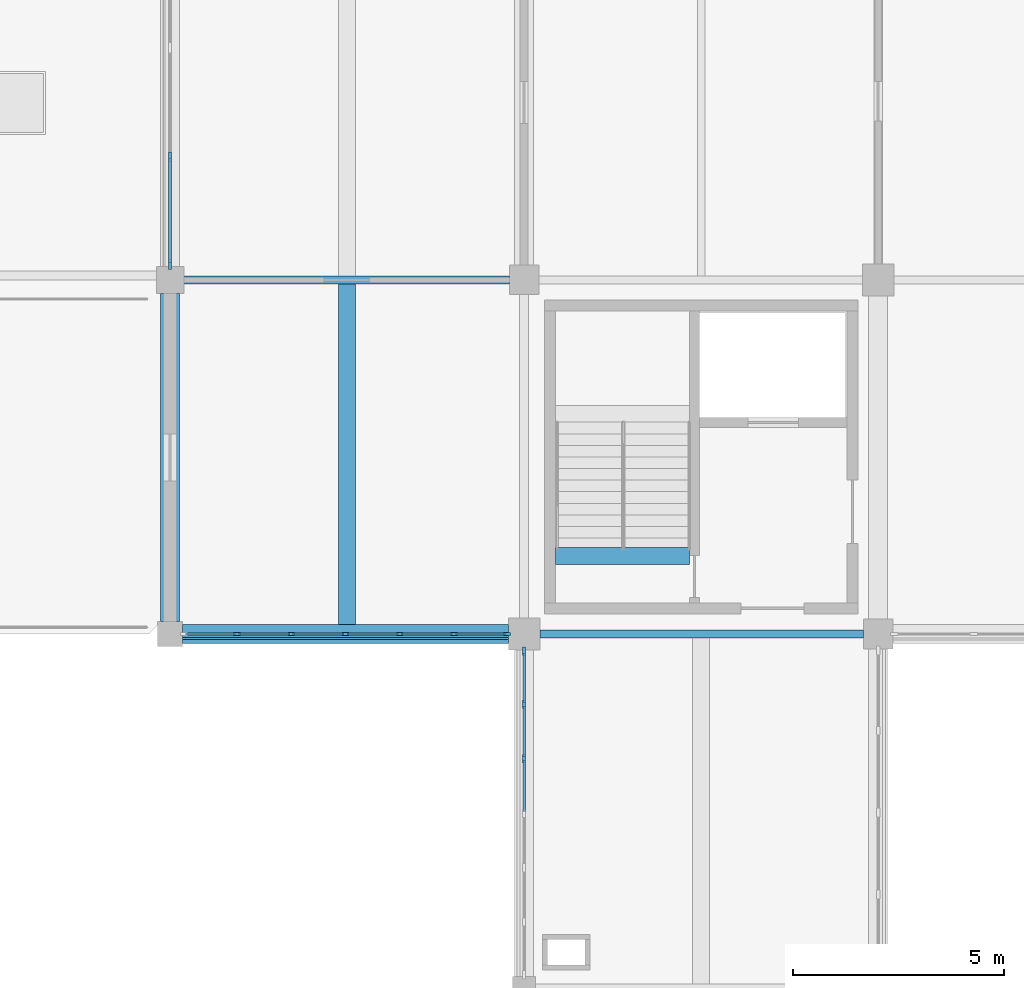
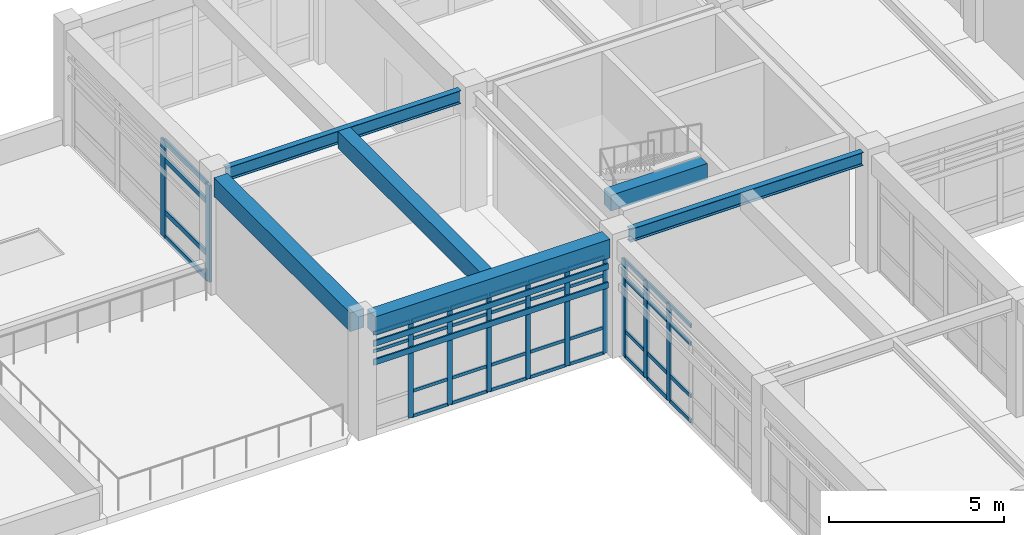
# One storey, part 11 of 40: 51 members, 6 beams, 3 elements without a shape of their own.
"""IFC4 building model written with IfcOpenShell, lengths in metres."""

from ifc_helpers import new_model, si_unit, direction, frame, origin, origin_2d, place, context, subcontext, project, spatial, rectangle, i_section, extrude, material, layer, layer_set, material_profile, profile_set, type_object, element, aggregate, save


model = new_model("IFC4")

# Units and contexts
model_context = context("Model", 3, precision=1e-05, world=origin(), true_north=direction((0.0, 1.0)))
body_context = subcontext(model_context, "Body", "Model", "MODEL_VIEW")
ifc_project = project(units=[si_unit("LENGTHUNIT", "METRE"), si_unit("AREAUNIT", "SQUARE_METRE"), si_unit("VOLUMEUNIT", "CUBIC_METRE"), si_unit("PLANEANGLEUNIT", "RADIAN"), si_unit("MASSUNIT", "GRAM", prefix="KILO")], contexts=[model_context])

# Site, building, storey
site_placement = place(None, origin())
site = spatial("IfcSite", under=ifc_project, at=site_placement, CompositionType="ELEMENT")
building_placement = place(site_placement, origin())
building = spatial("IfcBuilding", under=site, at=building_placement, Name="Porcellanite Civic Hall", CompositionType="ELEMENT")
storey_placement = place(building_placement, frame((0.0, 0.0, 19.080078125)))
storey = spatial("IfcBuildingStorey", under=building, at=storey_placement, Name="L04", CompositionType="ELEMENT", Elevation=19.080078125)

# Beams
ifc_material_1 = material(Name="Concrete N50 (50 MPa)", Category="concrete")
ifc_material_profile_1 = material_profile(ifc_material_1, rectangle(XDim=0.39990234375, YDim=0.550048828125, at=origin_2d()), Name="RC-400x550")
ifc_profile_set_1 = profile_set([ifc_material_profile_1], Name="Concrete N50 (50 MPa)")
beam_type_1 = type_object("IfcBeamType", Name="BM-RC550", PredefinedType="JOIST", material=ifc_profile_set_1)
beam_1_placement = place(storey_placement, frame((51.140380859375, 102.64990234375, 3.794921875), z_axis=(1.0, 0.0, 0.0), x_axis=(0.0, 1.0, 0.0)))
element("IfcBeam", 1, at=beam_1_placement, inside=storey, type_object=beam_type_1, Name="Stair header beam C3 L04", PredefinedType="JOIST", context=body_context, shape_type="SweptSolid", body=[
    extrude(rectangle(XDim=0.39990234375, YDim=0.550048828125, at=origin_2d()), origin(), (0.0, 0.0, 1.0), 3.17919921875),
])
ifc_material_2 = material(Name="Concrete N50 (50 MPa)", Category="concrete")
ifc_material_profile_2 = material_profile(ifc_material_2, rectangle(XDim=0.39990234375, YDim=0.60009765625, at=origin_2d()), Name="RC-400x600")
ifc_profile_set_2 = profile_set([ifc_material_profile_2], Name="Concrete N50 (50 MPa)")
beam_type_2 = type_object("IfcBeamType", Name="BM-RC600", PredefinedType="JOIST", material=ifc_profile_set_2)
beam_2_placement = place(storey_placement, frame((46.199951171875, 101.0244140625, 3.77001953125), z_axis=(0.0, 1.0, 0.0), x_axis=(-1.0, 0.0, 0.0)))
element("IfcBeam", 2, at=beam_2_placement, inside=storey, type_object=beam_type_2, Name="Secondary joist L04 6-13", PredefinedType="JOIST", context=body_context, shape_type="SweptSolid", body=[
    extrude(rectangle(XDim=0.39990234375, YDim=0.60009765625, at=origin_2d()), origin(), (0.0, 0.0, 1.0), 8.0810546875),
])
ifc_material_3 = material(Name="Concrete N50 (50 MPa)", Category="concrete")
ifc_material_profile_3 = material_profile(ifc_material_3, rectangle(XDim=0.449951171875, YDim=0.64990234375, at=origin_2d()), Name="RC-450x650")
ifc_profile_set_3 = profile_set([ifc_material_profile_3], Name="Concrete N50 (50 MPa)")
beam_type_3 = type_object("IfcBeamType", Name="BM-RC650", PredefinedType="SPANDREL", material=ifc_profile_set_3)
beam_3_placement = place(storey_placement, frame((42.299560546875, 100.800048828125, 3.744873046875), z_axis=(1.0, 0.0, 0.0), x_axis=(0.0, 1.0, 0.0)))
element("IfcBeam", 3, at=beam_3_placement, inside=storey, type_object=beam_type_3, Name="Beam X L04 6-13", PredefinedType="SPANDREL", context=body_context, shape_type="SweptSolid", body=[
    extrude(rectangle(XDim=0.449951171875, YDim=0.64990234375, at=origin_2d()), origin(), (0.0, 0.0, 1.0), 7.725830078125),
])
beam_4_placement = place(storey_placement, frame((42.0, 101.099609375, 3.744873046875), z_axis=(0.0, 1.0, 0.0), x_axis=(-1.0, 0.0, 0.0)))
element("IfcBeam", 4, at=beam_4_placement, inside=storey, type_object=beam_type_3, Name="Beam Y L04 6-13", PredefinedType="SPANDREL", context=body_context, shape_type="SweptSolid", body=[
    extrude(rectangle(XDim=0.449951171875, YDim=0.64990234375, at=origin_2d()), origin(), (0.0, 0.0, 1.0), 7.77587890625),
])

# Curtain wall, members
ifc_material_4 = material(Name="Anodised aluminium and solar laminated glass", Category="aluminium")
ifc_layer_1 = layer(ifc_material_4, 0.179931640625)
ifc_layer_set_1 = layer_set([ifc_layer_1], Name="Anodised aluminium and solar laminated glass")
curtain_wall_type_1 = type_object("IfcCurtainWallType", Name="CW-SYS08", PredefinedType="NOTDEFINED", material=ifc_layer_set_1)
curtain_wall_1_placement = place(storey_placement, origin())
curtain_wall_1 = element("IfcCurtainWall", 5, at=curtain_wall_1_placement, inside=storey, type_object=curtain_wall_type_1, Name="Curtain wall CW-238", PredefinedType="NOTDEFINED")
ifc_material_5 = material(Name="Anodised aluminium 6063-T6", Category="aluminium")
ifc_material_profile_4 = material_profile(ifc_material_5, rectangle(XDim=0.080078125, YDim=0.239990234375, at=origin_2d()), Name="AL-80x240")
ifc_profile_set_4 = profile_set([ifc_material_profile_4], Name="Anodised aluminium 6063-T6")
member_type_1 = type_object("IfcMemberType", Name="CWM-01", PredefinedType="MULLION", material=ifc_profile_set_4)
member_1_placement = place(storey_placement, frame((42.0, 109.56591796875, 0.0), z_axis=(0.0, 0.0, 1.0), x_axis=(-1.0, 0.0, 0.0)))
member_1 = element("IfcMember", 6, at=member_1_placement, type_object=member_type_1, Name="CW-238 mullion 1", PredefinedType="MULLION", context=body_context, shape_type="SweptSolid", body=[
    extrude(rectangle(XDim=0.080078125, YDim=0.239990234375, at=origin_2d()), origin(), (0.0, 0.0, 1.0), 3.369873046875),
])
member_2_placement = place(storey_placement, frame((42.0, 112.116943359375, 0.0), z_axis=(0.0, 0.0, 1.0), x_axis=(-1.0, 0.0, 0.0)))
member_2 = element("IfcMember", 7, at=member_2_placement, type_object=member_type_1, Name="CW-238 mullion 2", PredefinedType="MULLION", context=body_context, shape_type="SweptSolid", body=[
    extrude(rectangle(XDim=0.080078125, YDim=0.239990234375, at=origin_2d()), origin(), (0.0, 0.0, 1.0), 3.369873046875),
])

ifc_material_6 = material(Name="Anodised aluminium and solar laminated glass", Category="aluminium")
ifc_layer_2 = layer(ifc_material_6, 0.179931640625)
ifc_layer_set_2 = layer_set([ifc_layer_2], Name="Anodised aluminium and solar laminated glass")
curtain_wall_type_2 = type_object("IfcCurtainWallType", Name="CW-SYS01", PredefinedType="NOTDEFINED", material=ifc_layer_set_2)
curtain_wall_2_placement = place(storey_placement, origin())
curtain_wall_2 = element("IfcCurtainWall", 8, at=curtain_wall_2_placement, inside=storey, type_object=curtain_wall_type_2, Name="Curtain wall CW-245", PredefinedType="NOTDEFINED")
ifc_material_7 = material(Name="Anodised aluminium 6063-T6", Category="aluminium")
ifc_material_profile_5 = material_profile(ifc_material_7, rectangle(XDim=0.070068359375, YDim=0.199951171875, at=origin_2d()), Name="AL-70x200")
ifc_profile_set_5 = profile_set([ifc_material_profile_5], Name="Anodised aluminium 6063-T6")
member_type_2 = type_object("IfcMemberType", Name="CWM-05", PredefinedType="MULLION", material=ifc_profile_set_5)
member_3_placement = place(storey_placement, frame((50.39990234375, 97.84130859375, 0.0), z_axis=(0.0, 0.0, 1.0), x_axis=(-1.0, 0.0, 0.0)))
member_3 = element("IfcMember", 9, at=member_3_placement, type_object=member_type_2, Name="CW-245 mullion 5", PredefinedType="MULLION", context=body_context, shape_type="SweptSolid", body=[
    extrude(rectangle(XDim=0.070068359375, YDim=0.199951171875, at=origin_2d()), origin(), (0.0, 0.0, 1.0), 3.369873046875),
])
member_4_placement = place(storey_placement, frame((50.39990234375, 99.132568359375, 0.0), z_axis=(0.0, 0.0, 1.0), x_axis=(-1.0, 0.0, 0.0)))
member_4 = element("IfcMember", 10, at=member_4_placement, type_object=member_type_2, Name="CW-245 mullion 6", PredefinedType="MULLION", context=body_context, shape_type="SweptSolid", body=[
    extrude(rectangle(XDim=0.070068359375, YDim=0.199951171875, at=origin_2d()), origin(), (0.0, 0.0, 1.0), 3.369873046875),
])
member_5_placement = place(storey_placement, frame((50.39990234375, 100.388916015625, 0.0), z_axis=(0.0, 0.0, 1.0), x_axis=(-1.0, 0.0, 0.0)))
member_5 = element("IfcMember", 11, at=member_5_placement, type_object=member_type_2, Name="CW-245 mullion 7", PredefinedType="MULLION", context=body_context, shape_type="SweptSolid", body=[
    extrude(rectangle(XDim=0.070068359375, YDim=0.199951171875, at=origin_2d()), origin(), (0.0, 0.0, 1.0), 3.369873046875),
])

ifc_material_8 = material(Name="Anodised aluminium and solar laminated glass", Category="aluminium")
ifc_layer_3 = layer(ifc_material_8, 0.179931640625)
ifc_layer_set_3 = layer_set([ifc_layer_3], Name="Anodised aluminium and solar laminated glass")
curtain_wall_type_3 = type_object("IfcCurtainWallType", Name="CW-SYS07", PredefinedType="NOTDEFINED", material=ifc_layer_set_3)
curtain_wall_3_placement = place(storey_placement, origin())
curtain_wall_3 = element("IfcCurtainWall", 12, at=curtain_wall_3_placement, inside=storey, type_object=curtain_wall_type_3, Name="Curtain wall CW-237", PredefinedType="NOTDEFINED")
ifc_material_9 = material(Name="Anodised aluminium 6063-T6", Category="aluminium")
ifc_material_profile_6 = material_profile(ifc_material_9, rectangle(XDim=0.06005859375, YDim=0.159912109375, at=origin_2d()), Name="AL-60x160")
ifc_profile_set_6 = profile_set([ifc_material_profile_6], Name="Anodised aluminium 6063-T6")
member_type_3 = type_object("IfcMemberType", Name="CWM-07", PredefinedType="MULLION", material=ifc_profile_set_6)
member_6_placement = place(storey_placement, frame((49.993896484375, 100.800048828125, 0.0), z_axis=(0.0, 0.0, 1.0), x_axis=(0.0, -1.0, 0.0)))
member_6 = element("IfcMember", 13, at=member_6_placement, type_object=member_type_3, Name="CW-237 mullion 1", PredefinedType="MULLION", context=body_context, shape_type="SweptSolid", body=[
    extrude(rectangle(XDim=0.06005859375, YDim=0.159912109375, at=origin_2d()), origin(), (0.0, 0.0, 1.0), 3.369873046875),
])
member_7_placement = place(storey_placement, frame((48.73681640625, 100.800048828125, 0.0), z_axis=(0.0, 0.0, 1.0), x_axis=(0.0, -1.0, 0.0)))
member_7 = element("IfcMember", 14, at=member_7_placement, type_object=member_type_3, Name="CW-237 mullion 2", PredefinedType="MULLION", context=body_context, shape_type="SweptSolid", body=[
    extrude(rectangle(XDim=0.06005859375, YDim=0.159912109375, at=origin_2d()), origin(), (0.0, 0.0, 1.0), 3.369873046875),
])
member_8_placement = place(storey_placement, frame((47.44970703125, 100.800048828125, 0.0), z_axis=(0.0, 0.0, 1.0), x_axis=(0.0, -1.0, 0.0)))
member_8 = element("IfcMember", 15, at=member_8_placement, type_object=member_type_3, Name="CW-237 mullion 3", PredefinedType="MULLION", context=body_context, shape_type="SweptSolid", body=[
    extrude(rectangle(XDim=0.06005859375, YDim=0.159912109375, at=origin_2d()), origin(), (0.0, 0.0, 1.0), 3.369873046875),
])
member_9_placement = place(storey_placement, frame((46.16259765625, 100.800048828125, 0.0), z_axis=(0.0, 0.0, 1.0), x_axis=(0.0, -1.0, 0.0)))
member_9 = element("IfcMember", 16, at=member_9_placement, type_object=member_type_3, Name="CW-237 mullion 4", PredefinedType="MULLION", context=body_context, shape_type="SweptSolid", body=[
    extrude(rectangle(XDim=0.06005859375, YDim=0.159912109375, at=origin_2d()), origin(), (0.0, 0.0, 1.0), 3.369873046875),
])
member_10_placement = place(storey_placement, frame((44.875244140625, 100.800048828125, 0.0), z_axis=(0.0, 0.0, 1.0), x_axis=(0.0, -1.0, 0.0)))
member_10 = element("IfcMember", 17, at=member_10_placement, type_object=member_type_3, Name="CW-237 mullion 5", PredefinedType="MULLION", context=body_context, shape_type="SweptSolid", body=[
    extrude(rectangle(XDim=0.06005859375, YDim=0.159912109375, at=origin_2d()), origin(), (0.0, 0.0, 1.0), 3.369873046875),
])
member_11_placement = place(storey_placement, frame((43.588134765625, 100.800048828125, 0.0), z_axis=(0.0, 0.0, 1.0), x_axis=(0.0, -1.0, 0.0)))
member_11 = element("IfcMember", 18, at=member_11_placement, type_object=member_type_3, Name="CW-237 mullion 6", PredefinedType="MULLION", context=body_context, shape_type="SweptSolid", body=[
    extrude(rectangle(XDim=0.06005859375, YDim=0.159912109375, at=origin_2d()), origin(), (0.0, 0.0, 1.0), 3.369873046875),
])

# Member
ifc_material_10 = material(Name="Anodised aluminium 6063-T6", Category="aluminium")
ifc_material_profile_7 = material_profile(ifc_material_10, rectangle(XDim=0.070068359375, YDim=0.175048828125, at=origin_2d()), Name="AL-70x175")
ifc_profile_set_7 = profile_set([ifc_material_profile_7], Name="Anodised aluminium 6063-T6")
member_type_4 = type_object("IfcMemberType", Name="CWT-01", PredefinedType="USERDEFINED", material=ifc_profile_set_7)
member_12_placement = place(storey_placement, frame((42.0, 109.60595703125, 0.034912109375), z_axis=(0.0, 1.0, 0.0), x_axis=(-1.0, 0.0, 0.0)))
member_12 = element("IfcMember", 19, at=member_12_placement, type_object=member_type_4, Name="CW-238 transom 1.1", ObjectType="TRANSOM", PredefinedType="USERDEFINED", context=body_context, shape_type="SweptSolid", body=[
    extrude(rectangle(XDim=0.070068359375, YDim=0.175048828125, at=origin_2d()), origin(), (0.0, 0.0, 1.0), 2.470947265625),
])

member_13_placement = place(storey_placement, frame((42.0, 109.60595703125, 0.89990234375), z_axis=(0.0, 1.0, 0.0), x_axis=(-1.0, 0.0, 0.0)))
member_13 = element("IfcMember", 20, at=member_13_placement, type_object=member_type_4, Name="CW-238 transom 1.2", ObjectType="TRANSOM", PredefinedType="USERDEFINED", context=body_context, shape_type="SweptSolid", body=[
    extrude(rectangle(XDim=0.070068359375, YDim=0.175048828125, at=origin_2d()), origin(), (0.0, 0.0, 1.0), 2.470947265625),
])

member_14_placement = place(storey_placement, frame((42.0, 109.60595703125, 2.719970703125), z_axis=(0.0, 1.0, 0.0), x_axis=(-1.0, 0.0, 0.0)))
member_14 = element("IfcMember", 21, at=member_14_placement, type_object=member_type_4, Name="CW-238 transom 1.3", ObjectType="TRANSOM", PredefinedType="USERDEFINED", context=body_context, shape_type="SweptSolid", body=[
    extrude(rectangle(XDim=0.070068359375, YDim=0.175048828125, at=origin_2d()), origin(), (0.0, 0.0, 1.0), 2.470947265625),
])

member_15_placement = place(storey_placement, frame((42.0, 109.60595703125, 3.3349609375), z_axis=(0.0, 1.0, 0.0), x_axis=(-1.0, 0.0, 0.0)))
member_15 = element("IfcMember", 22, at=member_15_placement, type_object=member_type_4, Name="CW-238 transom 1.4", ObjectType="TRANSOM", PredefinedType="USERDEFINED", context=body_context, shape_type="SweptSolid", body=[
    extrude(rectangle(XDim=0.070068359375, YDim=0.175048828125, at=origin_2d()), origin(), (0.0, 0.0, 1.0), 2.470947265625),
])

aggregate(curtain_wall_1, [member_1, member_2, member_12, member_13, member_14, member_15])

ifc_material_11 = material(Name="Anodised aluminium 6063-T6", Category="aluminium")
ifc_material_profile_8 = material_profile(ifc_material_11, rectangle(XDim=0.06005859375, YDim=0.1298828125, at=origin_2d()), Name="AL-60x130")
ifc_profile_set_8 = profile_set([ifc_material_profile_8], Name="Anodised aluminium 6063-T6")
member_type_5 = type_object("IfcMemberType", Name="CWT-03", PredefinedType="USERDEFINED", material=ifc_profile_set_8)
member_16_placement = place(storey_placement, frame((50.39990234375, 96.5849609375, 0.030029296875), z_axis=(0.0, 1.0, 0.0), x_axis=(-1.0, 0.0, 0.0)))
member_16 = element("IfcMember", 23, at=member_16_placement, type_object=member_type_5, Name="CW-245 transom 4.1", ObjectType="TRANSOM", PredefinedType="USERDEFINED", context=body_context, shape_type="SweptSolid", body=[
    extrude(rectangle(XDim=0.06005859375, YDim=0.1298828125, at=origin_2d()), origin(), (0.0, 0.0, 1.0), 1.221435546875),
])

member_17_placement = place(storey_placement, frame((50.39990234375, 96.5849609375, 0.89990234375), z_axis=(0.0, 1.0, 0.0), x_axis=(-1.0, 0.0, 0.0)))
member_17 = element("IfcMember", 24, at=member_17_placement, type_object=member_type_5, Name="CW-245 transom 4.2", ObjectType="TRANSOM", PredefinedType="USERDEFINED", context=body_context, shape_type="SweptSolid", body=[
    extrude(rectangle(XDim=0.06005859375, YDim=0.1298828125, at=origin_2d()), origin(), (0.0, 0.0, 1.0), 1.221435546875),
])

member_18_placement = place(storey_placement, frame((50.39990234375, 96.5849609375, 2.719970703125), z_axis=(0.0, 1.0, 0.0), x_axis=(-1.0, 0.0, 0.0)))
member_18 = element("IfcMember", 25, at=member_18_placement, type_object=member_type_5, Name="CW-245 transom 4.3", ObjectType="TRANSOM", PredefinedType="USERDEFINED", context=body_context, shape_type="SweptSolid", body=[
    extrude(rectangle(XDim=0.06005859375, YDim=0.1298828125, at=origin_2d()), origin(), (0.0, 0.0, 1.0), 1.221435546875),
])

member_19_placement = place(storey_placement, frame((50.39990234375, 96.5849609375, 3.33984375), z_axis=(0.0, 1.0, 0.0), x_axis=(-1.0, 0.0, 0.0)))
member_19 = element("IfcMember", 26, at=member_19_placement, type_object=member_type_5, Name="CW-245 transom 4.4", ObjectType="TRANSOM", PredefinedType="USERDEFINED", context=body_context, shape_type="SweptSolid", body=[
    extrude(rectangle(XDim=0.06005859375, YDim=0.1298828125, at=origin_2d()), origin(), (0.0, 0.0, 1.0), 1.221435546875),
])

member_20_placement = place(storey_placement, frame((50.39990234375, 97.876220703125, 0.030029296875), z_axis=(0.0, 1.0, 0.0), x_axis=(-1.0, 0.0, 0.0)))
member_20 = element("IfcMember", 27, at=member_20_placement, type_object=member_type_5, Name="CW-245 transom 5.1", ObjectType="TRANSOM", PredefinedType="USERDEFINED", context=body_context, shape_type="SweptSolid", body=[
    extrude(rectangle(XDim=0.06005859375, YDim=0.1298828125, at=origin_2d()), origin(), (0.0, 0.0, 1.0), 1.221435546875),
])

member_21_placement = place(storey_placement, frame((50.39990234375, 97.876220703125, 0.89990234375), z_axis=(0.0, 1.0, 0.0), x_axis=(-1.0, 0.0, 0.0)))
member_21 = element("IfcMember", 28, at=member_21_placement, type_object=member_type_5, Name="CW-245 transom 5.2", ObjectType="TRANSOM", PredefinedType="USERDEFINED", context=body_context, shape_type="SweptSolid", body=[
    extrude(rectangle(XDim=0.06005859375, YDim=0.1298828125, at=origin_2d()), origin(), (0.0, 0.0, 1.0), 1.221435546875),
])

member_22_placement = place(storey_placement, frame((50.39990234375, 97.876220703125, 2.719970703125), z_axis=(0.0, 1.0, 0.0), x_axis=(-1.0, 0.0, 0.0)))
member_22 = element("IfcMember", 29, at=member_22_placement, type_object=member_type_5, Name="CW-245 transom 5.3", ObjectType="TRANSOM", PredefinedType="USERDEFINED", context=body_context, shape_type="SweptSolid", body=[
    extrude(rectangle(XDim=0.06005859375, YDim=0.1298828125, at=origin_2d()), origin(), (0.0, 0.0, 1.0), 1.221435546875),
])

member_23_placement = place(storey_placement, frame((50.39990234375, 97.876220703125, 3.33984375), z_axis=(0.0, 1.0, 0.0), x_axis=(-1.0, 0.0, 0.0)))
member_23 = element("IfcMember", 30, at=member_23_placement, type_object=member_type_5, Name="CW-245 transom 5.4", ObjectType="TRANSOM", PredefinedType="USERDEFINED", context=body_context, shape_type="SweptSolid", body=[
    extrude(rectangle(XDim=0.06005859375, YDim=0.1298828125, at=origin_2d()), origin(), (0.0, 0.0, 1.0), 1.221435546875),
])

member_24_placement = place(storey_placement, frame((50.39990234375, 99.167724609375, 0.030029296875), z_axis=(0.0, 1.0, 0.0), x_axis=(-1.0, 0.0, 0.0)))
member_24 = element("IfcMember", 31, at=member_24_placement, type_object=member_type_5, Name="CW-245 transom 6.1", ObjectType="TRANSOM", PredefinedType="USERDEFINED", context=body_context, shape_type="SweptSolid", body=[
    extrude(rectangle(XDim=0.06005859375, YDim=0.1298828125, at=origin_2d()), origin(), (0.0, 0.0, 1.0), 1.186279296875),
])

member_25_placement = place(storey_placement, frame((50.39990234375, 99.167724609375, 0.89990234375), z_axis=(0.0, 1.0, 0.0), x_axis=(-1.0, 0.0, 0.0)))
member_25 = element("IfcMember", 32, at=member_25_placement, type_object=member_type_5, Name="CW-245 transom 6.2", ObjectType="TRANSOM", PredefinedType="USERDEFINED", context=body_context, shape_type="SweptSolid", body=[
    extrude(rectangle(XDim=0.06005859375, YDim=0.1298828125, at=origin_2d()), origin(), (0.0, 0.0, 1.0), 1.186279296875),
])

member_26_placement = place(storey_placement, frame((50.39990234375, 99.167724609375, 2.719970703125), z_axis=(0.0, 1.0, 0.0), x_axis=(-1.0, 0.0, 0.0)))
member_26 = element("IfcMember", 33, at=member_26_placement, type_object=member_type_5, Name="CW-245 transom 6.3", ObjectType="TRANSOM", PredefinedType="USERDEFINED", context=body_context, shape_type="SweptSolid", body=[
    extrude(rectangle(XDim=0.06005859375, YDim=0.1298828125, at=origin_2d()), origin(), (0.0, 0.0, 1.0), 1.186279296875),
])

member_27_placement = place(storey_placement, frame((50.39990234375, 99.167724609375, 3.33984375), z_axis=(0.0, 1.0, 0.0), x_axis=(-1.0, 0.0, 0.0)))
member_27 = element("IfcMember", 34, at=member_27_placement, type_object=member_type_5, Name="CW-245 transom 6.4", ObjectType="TRANSOM", PredefinedType="USERDEFINED", context=body_context, shape_type="SweptSolid", body=[
    extrude(rectangle(XDim=0.06005859375, YDim=0.1298828125, at=origin_2d()), origin(), (0.0, 0.0, 1.0), 1.186279296875),
])

aggregate(curtain_wall_2, [member_3, member_4, member_5, member_16, member_17, member_18, member_19, member_20, member_21, member_22, member_23, member_24, member_25, member_26, member_27])

ifc_material_12 = material(Name="Anodised aluminium 6063-T6", Category="aluminium")
ifc_material_profile_9 = material_profile(ifc_material_12, rectangle(XDim=0.050048828125, YDim=0.110107421875, at=origin_2d()), Name="AL-50x110")
ifc_profile_set_9 = profile_set([ifc_material_profile_9], Name="Anodised aluminium 6063-T6")
member_type_6 = type_object("IfcMemberType", Name="CWT-07", PredefinedType="USERDEFINED", material=ifc_profile_set_9)
member_28_placement = place(storey_placement, frame((49.964111328125, 100.800048828125, 0.02490234375), z_axis=(-1.0, 0.0, 0.0), x_axis=(0.0, -1.0, 0.0)))
member_28 = element("IfcMember", 35, at=member_28_placement, type_object=member_type_6, Name="CW-237 transom 1.1", ObjectType="TRANSOM", PredefinedType="USERDEFINED", context=body_context, shape_type="SweptSolid", body=[
    extrude(rectangle(XDim=0.050048828125, YDim=0.110107421875, at=origin_2d()), origin(), (0.0, 0.0, 1.0), 1.197265625),
])

member_29_placement = place(storey_placement, frame((49.964111328125, 100.800048828125, 0.89990234375), z_axis=(-1.0, 0.0, 0.0), x_axis=(0.0, -1.0, 0.0)))
member_29 = element("IfcMember", 36, at=member_29_placement, type_object=member_type_6, Name="CW-237 transom 1.2", ObjectType="TRANSOM", PredefinedType="USERDEFINED", context=body_context, shape_type="SweptSolid", body=[
    extrude(rectangle(XDim=0.050048828125, YDim=0.110107421875, at=origin_2d()), origin(), (0.0, 0.0, 1.0), 1.197265625),
])

member_30_placement = place(storey_placement, frame((49.964111328125, 100.800048828125, 2.719970703125), z_axis=(-1.0, 0.0, 0.0), x_axis=(0.0, -1.0, 0.0)))
member_30 = element("IfcMember", 37, at=member_30_placement, type_object=member_type_6, Name="CW-237 transom 1.3", ObjectType="TRANSOM", PredefinedType="USERDEFINED", context=body_context, shape_type="SweptSolid", body=[
    extrude(rectangle(XDim=0.050048828125, YDim=0.110107421875, at=origin_2d()), origin(), (0.0, 0.0, 1.0), 1.197265625),
])

member_31_placement = place(storey_placement, frame((49.964111328125, 100.800048828125, 3.344970703125), z_axis=(-1.0, 0.0, 0.0), x_axis=(0.0, -1.0, 0.0)))
member_31 = element("IfcMember", 38, at=member_31_placement, type_object=member_type_6, Name="CW-237 transom 1.4", ObjectType="TRANSOM", PredefinedType="USERDEFINED", context=body_context, shape_type="SweptSolid", body=[
    extrude(rectangle(XDim=0.050048828125, YDim=0.110107421875, at=origin_2d()), origin(), (0.0, 0.0, 1.0), 1.197265625),
])

member_32_placement = place(storey_placement, frame((48.706787109375, 100.800048828125, 0.02490234375), z_axis=(-1.0, 0.0, 0.0), x_axis=(0.0, -1.0, 0.0)))
member_32 = element("IfcMember", 39, at=member_32_placement, type_object=member_type_6, Name="CW-237 transom 2.1", ObjectType="TRANSOM", PredefinedType="USERDEFINED", context=body_context, shape_type="SweptSolid", body=[
    extrude(rectangle(XDim=0.050048828125, YDim=0.110107421875, at=origin_2d()), origin(), (0.0, 0.0, 1.0), 1.22705078125),
])

member_33_placement = place(storey_placement, frame((48.706787109375, 100.800048828125, 0.89990234375), z_axis=(-1.0, 0.0, 0.0), x_axis=(0.0, -1.0, 0.0)))
member_33 = element("IfcMember", 40, at=member_33_placement, type_object=member_type_6, Name="CW-237 transom 2.2", ObjectType="TRANSOM", PredefinedType="USERDEFINED", context=body_context, shape_type="SweptSolid", body=[
    extrude(rectangle(XDim=0.050048828125, YDim=0.110107421875, at=origin_2d()), origin(), (0.0, 0.0, 1.0), 1.22705078125),
])

member_34_placement = place(storey_placement, frame((48.706787109375, 100.800048828125, 2.719970703125), z_axis=(-1.0, 0.0, 0.0), x_axis=(0.0, -1.0, 0.0)))
member_34 = element("IfcMember", 41, at=member_34_placement, type_object=member_type_6, Name="CW-237 transom 2.3", ObjectType="TRANSOM", PredefinedType="USERDEFINED", context=body_context, shape_type="SweptSolid", body=[
    extrude(rectangle(XDim=0.050048828125, YDim=0.110107421875, at=origin_2d()), origin(), (0.0, 0.0, 1.0), 1.22705078125),
])

member_35_placement = place(storey_placement, frame((48.706787109375, 100.800048828125, 3.344970703125), z_axis=(-1.0, 0.0, 0.0), x_axis=(0.0, -1.0, 0.0)))
member_35 = element("IfcMember", 42, at=member_35_placement, type_object=member_type_6, Name="CW-237 transom 2.4", ObjectType="TRANSOM", PredefinedType="USERDEFINED", context=body_context, shape_type="SweptSolid", body=[
    extrude(rectangle(XDim=0.050048828125, YDim=0.110107421875, at=origin_2d()), origin(), (0.0, 0.0, 1.0), 1.22705078125),
])

member_36_placement = place(storey_placement, frame((47.419677734375, 100.800048828125, 0.02490234375), z_axis=(-1.0, 0.0, 0.0), x_axis=(0.0, -1.0, 0.0)))
member_36 = element("IfcMember", 43, at=member_36_placement, type_object=member_type_6, Name="CW-237 transom 3.1", ObjectType="TRANSOM", PredefinedType="USERDEFINED", context=body_context, shape_type="SweptSolid", body=[
    extrude(rectangle(XDim=0.050048828125, YDim=0.110107421875, at=origin_2d()), origin(), (0.0, 0.0, 1.0), 1.227294921875),
])

member_37_placement = place(storey_placement, frame((47.419677734375, 100.800048828125, 0.89990234375), z_axis=(-1.0, 0.0, 0.0), x_axis=(0.0, -1.0, 0.0)))
member_37 = element("IfcMember", 44, at=member_37_placement, type_object=member_type_6, Name="CW-237 transom 3.2", ObjectType="TRANSOM", PredefinedType="USERDEFINED", context=body_context, shape_type="SweptSolid", body=[
    extrude(rectangle(XDim=0.050048828125, YDim=0.110107421875, at=origin_2d()), origin(), (0.0, 0.0, 1.0), 1.227294921875),
])

member_38_placement = place(storey_placement, frame((47.419677734375, 100.800048828125, 2.719970703125), z_axis=(-1.0, 0.0, 0.0), x_axis=(0.0, -1.0, 0.0)))
member_38 = element("IfcMember", 45, at=member_38_placement, type_object=member_type_6, Name="CW-237 transom 3.3", ObjectType="TRANSOM", PredefinedType="USERDEFINED", context=body_context, shape_type="SweptSolid", body=[
    extrude(rectangle(XDim=0.050048828125, YDim=0.110107421875, at=origin_2d()), origin(), (0.0, 0.0, 1.0), 1.227294921875),
])

member_39_placement = place(storey_placement, frame((47.419677734375, 100.800048828125, 3.344970703125), z_axis=(-1.0, 0.0, 0.0), x_axis=(0.0, -1.0, 0.0)))
member_39 = element("IfcMember", 46, at=member_39_placement, type_object=member_type_6, Name="CW-237 transom 3.4", ObjectType="TRANSOM", PredefinedType="USERDEFINED", context=body_context, shape_type="SweptSolid", body=[
    extrude(rectangle(XDim=0.050048828125, YDim=0.110107421875, at=origin_2d()), origin(), (0.0, 0.0, 1.0), 1.227294921875),
])

member_40_placement = place(storey_placement, frame((46.132568359375, 100.800048828125, 0.02490234375), z_axis=(-1.0, 0.0, 0.0), x_axis=(0.0, -1.0, 0.0)))
member_40 = element("IfcMember", 47, at=member_40_placement, type_object=member_type_6, Name="CW-237 transom 4.1", ObjectType="TRANSOM", PredefinedType="USERDEFINED", context=body_context, shape_type="SweptSolid", body=[
    extrude(rectangle(XDim=0.050048828125, YDim=0.110107421875, at=origin_2d()), origin(), (0.0, 0.0, 1.0), 1.227294921875),
])

member_41_placement = place(storey_placement, frame((46.132568359375, 100.800048828125, 0.89990234375), z_axis=(-1.0, 0.0, 0.0), x_axis=(0.0, -1.0, 0.0)))
member_41 = element("IfcMember", 48, at=member_41_placement, type_object=member_type_6, Name="CW-237 transom 4.2", ObjectType="TRANSOM", PredefinedType="USERDEFINED", context=body_context, shape_type="SweptSolid", body=[
    extrude(rectangle(XDim=0.050048828125, YDim=0.110107421875, at=origin_2d()), origin(), (0.0, 0.0, 1.0), 1.227294921875),
])

member_42_placement = place(storey_placement, frame((46.132568359375, 100.800048828125, 2.719970703125), z_axis=(-1.0, 0.0, 0.0), x_axis=(0.0, -1.0, 0.0)))
member_42 = element("IfcMember", 49, at=member_42_placement, type_object=member_type_6, Name="CW-237 transom 4.3", ObjectType="TRANSOM", PredefinedType="USERDEFINED", context=body_context, shape_type="SweptSolid", body=[
    extrude(rectangle(XDim=0.050048828125, YDim=0.110107421875, at=origin_2d()), origin(), (0.0, 0.0, 1.0), 1.227294921875),
])

member_43_placement = place(storey_placement, frame((46.132568359375, 100.800048828125, 3.344970703125), z_axis=(-1.0, 0.0, 0.0), x_axis=(0.0, -1.0, 0.0)))
member_43 = element("IfcMember", 50, at=member_43_placement, type_object=member_type_6, Name="CW-237 transom 4.4", ObjectType="TRANSOM", PredefinedType="USERDEFINED", context=body_context, shape_type="SweptSolid", body=[
    extrude(rectangle(XDim=0.050048828125, YDim=0.110107421875, at=origin_2d()), origin(), (0.0, 0.0, 1.0), 1.227294921875),
])

member_44_placement = place(storey_placement, frame((44.84521484375, 100.800048828125, 0.02490234375), z_axis=(-1.0, 0.0, 0.0), x_axis=(0.0, -1.0, 0.0)))
member_44 = element("IfcMember", 51, at=member_44_placement, type_object=member_type_6, Name="CW-237 transom 5.1", ObjectType="TRANSOM", PredefinedType="USERDEFINED", context=body_context, shape_type="SweptSolid", body=[
    extrude(rectangle(XDim=0.050048828125, YDim=0.110107421875, at=origin_2d()), origin(), (0.0, 0.0, 1.0), 1.22705078125),
])

member_45_placement = place(storey_placement, frame((44.84521484375, 100.800048828125, 0.89990234375), z_axis=(-1.0, 0.0, 0.0), x_axis=(0.0, -1.0, 0.0)))
member_45 = element("IfcMember", 52, at=member_45_placement, type_object=member_type_6, Name="CW-237 transom 5.2", ObjectType="TRANSOM", PredefinedType="USERDEFINED", context=body_context, shape_type="SweptSolid", body=[
    extrude(rectangle(XDim=0.050048828125, YDim=0.110107421875, at=origin_2d()), origin(), (0.0, 0.0, 1.0), 1.22705078125),
])

member_46_placement = place(storey_placement, frame((44.84521484375, 100.800048828125, 2.719970703125), z_axis=(-1.0, 0.0, 0.0), x_axis=(0.0, -1.0, 0.0)))
member_46 = element("IfcMember", 53, at=member_46_placement, type_object=member_type_6, Name="CW-237 transom 5.3", ObjectType="TRANSOM", PredefinedType="USERDEFINED", context=body_context, shape_type="SweptSolid", body=[
    extrude(rectangle(XDim=0.050048828125, YDim=0.110107421875, at=origin_2d()), origin(), (0.0, 0.0, 1.0), 1.22705078125),
])

member_47_placement = place(storey_placement, frame((44.84521484375, 100.800048828125, 3.344970703125), z_axis=(-1.0, 0.0, 0.0), x_axis=(0.0, -1.0, 0.0)))
member_47 = element("IfcMember", 54, at=member_47_placement, type_object=member_type_6, Name="CW-237 transom 5.4", ObjectType="TRANSOM", PredefinedType="USERDEFINED", context=body_context, shape_type="SweptSolid", body=[
    extrude(rectangle(XDim=0.050048828125, YDim=0.110107421875, at=origin_2d()), origin(), (0.0, 0.0, 1.0), 1.22705078125),
])

member_48_placement = place(storey_placement, frame((43.55810546875, 100.800048828125, 2.719970703125), z_axis=(-1.0, 0.0, 0.0), x_axis=(0.0, -1.0, 0.0)))
member_48 = element("IfcMember", 55, at=member_48_placement, type_object=member_type_6, Name="CW-237 transom 6.3", ObjectType="TRANSOM", PredefinedType="USERDEFINED", context=body_context, shape_type="SweptSolid", body=[
    extrude(rectangle(XDim=0.050048828125, YDim=0.110107421875, at=origin_2d()), origin(), (0.0, 0.0, 1.0), 1.197021484375),
])

member_49_placement = place(storey_placement, frame((43.55810546875, 100.800048828125, 3.344970703125), z_axis=(-1.0, 0.0, 0.0), x_axis=(0.0, -1.0, 0.0)))
member_49 = element("IfcMember", 56, at=member_49_placement, type_object=member_type_6, Name="CW-237 transom 6.4", ObjectType="TRANSOM", PredefinedType="USERDEFINED", context=body_context, shape_type="SweptSolid", body=[
    extrude(rectangle(XDim=0.050048828125, YDim=0.110107421875, at=origin_2d()), origin(), (0.0, 0.0, 1.0), 1.197021484375),
])

aggregate(curtain_wall_3, [member_6, member_7, member_8, member_9, member_10, member_11, member_28, member_29, member_30, member_31, member_32, member_33, member_34, member_35, member_36, member_37, member_38, member_39, member_40, member_41, member_42, member_43, member_44, member_45, member_46, member_47, member_48, member_49])

# Members
ifc_material_13 = material(Name="Fluoropolymer bauxite-red aluminium 6063-T6", Category="aluminium")
ifc_material_profile_10 = material_profile(ifc_material_13, rectangle(XDim=0.050048828125, YDim=0.199951171875, at=origin_2d()), Name="AL-50x200")
ifc_profile_set_10 = profile_set([ifc_material_profile_10], Name="Fluoropolymer bauxite-red aluminium 6063-T6")
member_type_7 = type_object("IfcMemberType", Name="LV-BLD10", PredefinedType="USERDEFINED", material=ifc_profile_set_10)
for number, where, z_axis, x_axis, name in (
    (57, (50.025390625, 100.693115234375, 3.06982421875), (-1.0, 0.0, 0.0), (0.0, -1.0, 0.0), "Cyclone sunshade louvre L04 S 5-12 1"),
    (58, (50.025390625, 100.693115234375, 2.419921875), (-1.0, 0.0, 0.0), (0.0, -1.0, 0.0), "Cyclone sunshade louvre L04 S 5-12 2"),
):
    element("IfcMember", number, at=place(storey_placement, frame(where, z_axis=z_axis, x_axis=x_axis)), inside=storey, type_object=member_type_7, Name=name, ObjectType="LOUVRE BLADE", PredefinedType="USERDEFINED", context=body_context, shape_type="SweptSolid", body=[
        extrude(rectangle(XDim=0.050048828125, YDim=0.199951171875, at=origin_2d()), origin(), (0.0, 0.0, 1.0), 7.725830078125),
    ])

# Beams
ifc_material_14 = material(Name="Steel Grade 350", Category="steel")
ifc_material_profile_11 = material_profile(ifc_material_14, i_section(OverallWidth=0.18994140625, OverallDepth=0.4541015625, WebThickness=0.008544921875, FlangeThickness=0.0126953125, FilletRadius=0.011474609375, at=origin_2d()), Name="460UB67.1")
ifc_profile_set_11 = profile_set([ifc_material_profile_11], Name="Steel Grade 350")
beam_type_4 = type_object("IfcBeamType", Name="RAF-460UB67", PredefinedType="BEAM", material=ifc_profile_set_11)
beam_5_placement = place(storey_placement, frame((42.324462890625, 109.199951171875, 3.843017578125), z_axis=(1.0, 0.0, 0.0), x_axis=(0.0, 1.0, 0.0)))
element("IfcBeam", 59, at=beam_5_placement, inside=storey, type_object=beam_type_4, Name="Beam X L04 6-14", PredefinedType="BEAM", context=body_context, shape_type="SweptSolid", body=[
    extrude(i_section(OverallWidth=0.18994140625, OverallDepth=0.4541015625, WebThickness=0.008544921875, FlangeThickness=0.0126953125, FilletRadius=0.011474609375, at=origin_2d()), origin(), (0.0, 0.0, 1.0), 7.72607421875),
])
beam_6_placement = place(storey_placement, frame((50.7744140625, 100.800048828125, 3.843017578125), z_axis=(1.0, 0.0, 0.0), x_axis=(0.0, 1.0, 0.0)))
element("IfcBeam", 60, at=beam_6_placement, inside=storey, type_object=beam_type_4, Name="Beam X L04 7-13", PredefinedType="BEAM", context=body_context, shape_type="SweptSolid", body=[
    extrude(i_section(OverallWidth=0.18994140625, OverallDepth=0.4541015625, WebThickness=0.008544921875, FlangeThickness=0.0126953125, FilletRadius=0.011474609375, at=origin_2d()), origin(), (0.0, 0.0, 1.0), 7.676025390625),
])

save(model, "model.ifc")
